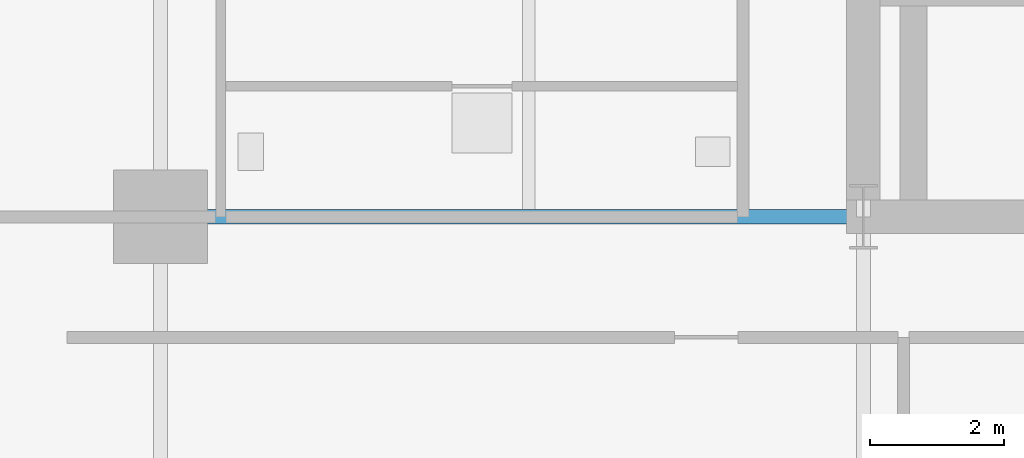
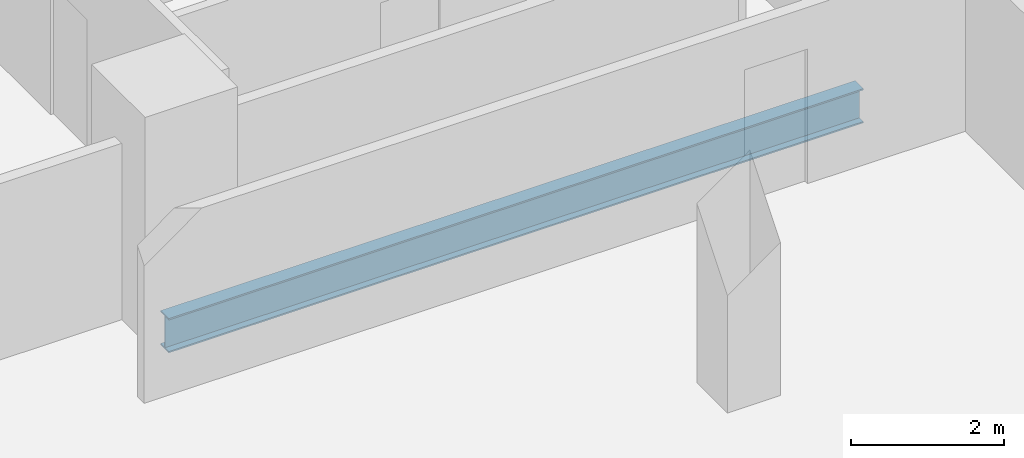
# One storey, part 5 of 23: 1 beam.
"""IFC4 building model written with IfcOpenShell, lengths in metres."""

from ifc_helpers import new_model, si_unit, direction, frame, origin, origin_2d, place, context, subcontext, project, spatial, i_section, extrude, material, material_profile, profile_set, type_object, element, save


model = new_model("IFC4")

# Units and contexts
model_context = context("Model", 3, precision=1e-05, world=origin(), true_north=direction((0.0, 1.0)))
body_context = subcontext(model_context, "Body", "Model", "MODEL_VIEW")
ifc_project = project(units=[si_unit("LENGTHUNIT", "METRE"), si_unit("AREAUNIT", "SQUARE_METRE"), si_unit("VOLUMEUNIT", "CUBIC_METRE"), si_unit("PLANEANGLEUNIT", "RADIAN"), si_unit("MASSUNIT", "GRAM", prefix="KILO")], contexts=[model_context])

# Site, building, storey
site_placement = place(None, origin())
site = spatial("IfcSite", under=ifc_project, at=site_placement, CompositionType="ELEMENT")
building_placement = place(site_placement, origin())
building = spatial("IfcBuilding", under=site, at=building_placement, Name="Barlavira Tower and Art Museum", CompositionType="ELEMENT")
storey_placement = place(building_placement, frame((0.0, 0.0, 64.800048828125)))
storey = spatial("IfcBuildingStorey", under=building, at=storey_placement, Name="L15", CompositionType="ELEMENT", Elevation=64.800048828125)

# Beam
ifc_material = material(Name="Steel S355", Category="steel")
ifc_material_profile = material_profile(ifc_material, i_section(OverallWidth=0.214111328125, OverallDepth=0.549072265625, WebThickness=0.0146484375, FlangeThickness=0.023681640625, at=origin_2d()), Name="W530x138.0")
ifc_profile_set = profile_set([ifc_material_profile], Name="Steel S355")
beam_type = type_object("IfcBeamType", Name="Zone 1 Primary Floor Girder W530x138 Steel S355", PredefinedType="BEAM", material=ifc_profile_set)
beam_placement = place(storey_placement, frame((-17.0, -7.5, -0.49462890625), z_axis=(1.0, 0.0, 0.0), x_axis=(0.0, 1.0, 0.0)))
element("IfcBeam", 1, at=beam_placement, inside=storey, type_object=beam_type, Name="L15 Girder R-W1", PredefinedType="BEAM", context=body_context, shape_type="SweptSolid", body=[
    extrude(i_section(OverallWidth=0.214111328125, OverallDepth=0.549072265625, WebThickness=0.0146484375, FlangeThickness=0.023681640625, at=origin_2d()), origin(), (0.0, 0.0, 1.0), 10.5),
])

save(model, "model.ifc")
